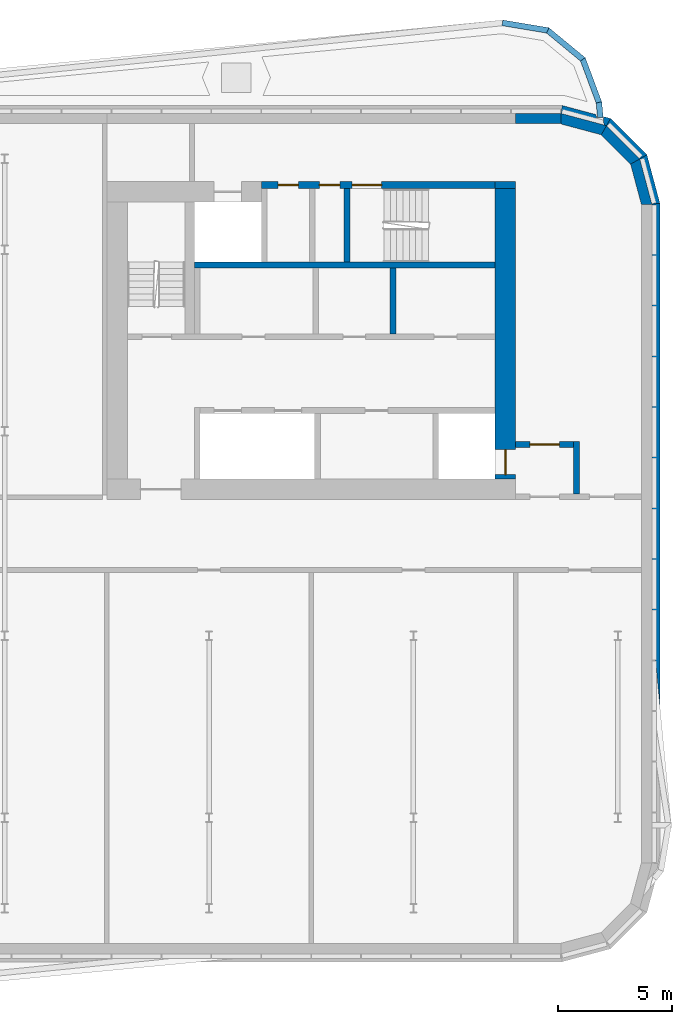
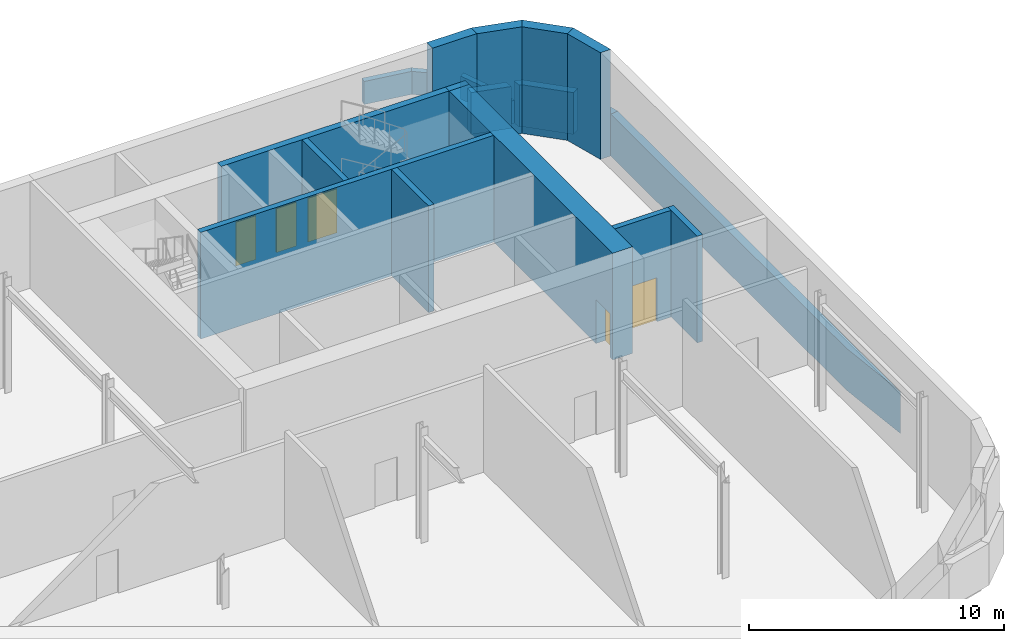
# One storey, part 9 of 16: 21 walls, 5 doors, 5 openings.
"""IFC4 building model written with IfcOpenShell, lengths in metres."""

from ifc_helpers import new_model, si_unit, direction, frame, frame_2d, origin, place, context, subcontext, project, spatial, polyline, rectangle, outline, extrude, material, layer, layer_set, type_object, element, fill, save


model = new_model("IFC4")

# Units and contexts
model_context = context("Model", 3, precision=1e-05, world=origin(), true_north=direction((0.0, 1.0)))
body_context = subcontext(model_context, "Body", "Model", "MODEL_VIEW")
ifc_project = project(units=[si_unit("LENGTHUNIT", "METRE"), si_unit("AREAUNIT", "SQUARE_METRE"), si_unit("VOLUMEUNIT", "CUBIC_METRE"), si_unit("PLANEANGLEUNIT", "RADIAN"), si_unit("MASSUNIT", "GRAM", prefix="KILO")], contexts=[model_context])

# Site, building, storey
site_placement = place(None, origin())
site = spatial("IfcSite", under=ifc_project, at=site_placement, CompositionType="ELEMENT")
building_placement = place(site_placement, origin())
building = spatial("IfcBuilding", under=site, at=building_placement, Name="Kajstack Hotel Tower", CompositionType="ELEMENT")
storey_placement = place(building_placement, frame((0.0, 0.0, 308.10009765625)))
storey = spatial("IfcBuildingStorey", under=building, at=storey_placement, Name="L78", CompositionType="ELEMENT", Elevation=308.10009765625)

# Walls
ifc_material_1 = material(Name="Concrete C40/50", Category="concrete")
ifc_layer_1 = layer(ifc_material_1, 0.35009765625)
ifc_layer_set_1 = layer_set([ifc_layer_1], Name="CROWN-BAND")
wall_type_1 = type_object("IfcWallType", Name="CROWN-BAND", PredefinedType="SOLIDWALL", material=ifc_layer_set_1)
wall_1_placement = place(storey_placement, origin())
element("IfcWall", 1, at=wall_1_placement, inside=storey, type_object=wall_type_1, Name="Crown band 11", PredefinedType="SOLIDWALL", context=body_context, shape_type="SweptSolid", body=[
    extrude(outline(polyline([(37.5, -3.943359375), (37.85009765625, -7.578125), (37.85009765625, 14.546142578125), (37.5, 14.5), (37.5, -3.943359375)])), origin(), (0.0, 0.0, 1.0), 2.0),
])
wall_2_placement = place(storey_placement, origin())
element("IfcWall", 2, at=wall_2_placement, inside=storey, type_object=wall_type_1, Name="Crown band 12", PredefinedType="SOLIDWALL", context=body_context, shape_type="SweptSolid", body=[
    extrude(outline(polyline([(37.5, 14.5), (37.85009765625, 14.546142578125), (37.27783203125, 16.68115234375), (36.964111328125, 16.5), (37.5, 14.5)])), origin(), (0.0, 0.0, 1.0), 2.0),
])
wall_3_placement = place(storey_placement, origin())
element("IfcWall", 3, at=wall_3_placement, inside=storey, type_object=wall_type_1, Name="Crown band 13", PredefinedType="SOLIDWALL", context=body_context, shape_type="SweptSolid", body=[
    extrude(outline(polyline([(36.964111328125, 16.5), (37.27783203125, 16.68115234375), (35.68115234375, 18.27783203125), (35.5, 17.964111328125), (36.964111328125, 16.5)])), origin(), (0.0, 0.0, 1.0), 2.0),
])
wall_4_placement = place(storey_placement, origin())
element("IfcWall", 4, at=wall_4_placement, inside=storey, type_object=wall_type_1, Name="Crown band 14", PredefinedType="SOLIDWALL", context=body_context, shape_type="SweptSolid", body=[
    extrude(outline(polyline([(35.5, 17.964111328125), (35.68115234375, 18.27783203125), (35.362060546875, 18.36328125), (35.365966796875, 18.323974609375), (35.35595703125, 18.322998046875), (35.3876953125, 17.994140625), (35.5, 17.964111328125)])), origin(), (0.0, 0.0, 1.0), 2.0),
])
wall_5_placement = place(storey_placement, origin())
element("IfcWall", 5, at=wall_5_placement, inside=storey, type_object=wall_type_1, Name="Crown band 15", PredefinedType="SOLIDWALL", context=body_context, shape_type="SweptSolid", body=[
    extrude(outline(polyline([(35.078369140625, 18.0771484375), (35.04248046875, 18.448974609375), (33.546142578125, 18.85009765625), (33.5, 18.5), (35.078369140625, 18.0771484375)])), origin(), (0.0, 0.0, 1.0), 2.0),
])
ifc_material_2 = material(Name="Concrete C60/75", Category="concrete")
ifc_layer_2 = layer(ifc_material_2, 0.89990234375)
ifc_layer_set_2 = layer_set([ifc_layer_2], Name="Core wall 900")
wall_type_2 = type_object("IfcWallType", Name="Core wall 900", PredefinedType="SHEAR", material=ifc_layer_set_2)
wall_6_placement = place(storey_placement, frame((30.60009765625, 15.35009765625, 0.0), z_axis=(0.0, 0.0, 1.0), x_axis=(1.0, 0.0, 0.0)))
element("IfcWall", 6, at=wall_6_placement, inside=storey, type_object=wall_type_2, Name="Core wall E RSW", PredefinedType="SHEAR", context=body_context, shape_type="SweptSolid", body=[
    extrude(rectangle(XDim=0.89990234375, YDim=0.300048828125, at=frame_2d((0.449951171875, 0.0))), origin(), (0.0, 0.0, 1.0), 5.099853515625),
])

# Wall, opening, door
wall_7_placement = place(storey_placement, frame((31.050048828125, 2.39990234375, 0.0), z_axis=(0.0, 0.0, 1.0), x_axis=(0.0, 1.0, 0.0)))
wall_7 = element("IfcWall", 7, at=wall_7_placement, inside=storey, type_object=wall_type_2, Name="Core wall E RW", PredefinedType="SHEAR", context=body_context, shape_type="SweptSolid", body=[
    extrude(rectangle(XDim=12.800048828125, YDim=0.89990234375, at=frame_2d((6.39990234375, 0.0))), origin(), (0.0, 0.0, 1.0), 5.099853515625),
])
opening_1_placement = place(wall_7_placement, frame((0.199951171875, 0.0, 0.0)))
opening_1 = element("IfcOpeningElement", 8, at=opening_1_placement, cuts=wall_7, Name="Opening LD-FF2", PredefinedType="OPENING", context=body_context, shape_type="SweptSolid", body=[
    extrude(rectangle(XDim=1.10009765625, YDim=2.10009765625, at=frame_2d((0.550048828125, 1.050048828125))), frame((0.0, 0.4599609375, 0.0), z_axis=(0.0, -1.0, 0.0), x_axis=(1.0, 0.0, 0.0)), (0.0, 0.0, 1.0), 0.919921875),
])
ifc_material_3 = material(Name="Stainless steel", Category="steel")
door_type_1 = type_object("IfcDoorType", Name="Fire-fighting lift landing door 1100", OperationType="SLIDING_TO_LEFT", PredefinedType="DOOR", material=ifc_material_3)
door_1_placement = place(opening_1_placement, origin())
door_1 = element("IfcDoor", 9, at=door_1_placement, inside=storey, type_object=door_type_1, Name="Landing door FF2", OperationType="SLIDING_TO_LEFT", OverallHeight=2.10009765625, OverallWidth=1.10009765625, PredefinedType="DOOR", context=body_context, shape_type="SweptSolid", body=[
    extrude(rectangle(XDim=1.10009765625, YDim=2.10009765625, at=frame_2d((0.550048828125, 1.050048828125))), frame((0.0, 0.02490234375, 0.0), z_axis=(0.0, -1.0, 0.0), x_axis=(1.0, 0.0, 0.0)), (0.0, 0.0, 1.0), 0.050048828125),
])
fill(opening_1, door_1)

# Walls
ifc_material_4 = material(Name="Zinc-clad block masonry", Category="masonry")
ifc_layer_3 = layer(ifc_material_4, 0.449951171875)
ifc_layer_set_3 = layer_set([ifc_layer_3], Name="EW-ZINC")
wall_type_3 = type_object("IfcWallType", Name="EW-ZINC", PredefinedType="SOLIDWALL", material=ifc_layer_set_3)
wall_8_placement = place(storey_placement, frame((37.28271484375, 14.441650390625, 0.0), z_axis=(0.0, 0.0, 1.0), x_axis=(-0.25881466832, 0.965926999034, 0.0)))
element("IfcWall", 10, at=wall_8_placement, inside=storey, type_object=wall_type_3, Name="E-wall-L78-08-00", PredefinedType="SOLIDWALL", context=body_context, shape_type="SweptSolid", body=[
    extrude(outline(polyline([(0.000244140625, -0.22509765625), (2.070556640625, -0.224853515625), (1.9501953125, 0.22509765625), (0.12060546875, 0.22509765625), (0.000244140625, -0.22509765625)])), origin(), (0.0, 0.0, 1.0), 5.099853515625),
])
wall_9_placement = place(storey_placement, frame((36.804931640625, 16.3408203125, 0.0), z_axis=(0.0, 0.0, 1.0), x_axis=(-0.707106781187, 0.707106781187, 0.0)))
element("IfcWall", 11, at=wall_9_placement, inside=storey, type_object=wall_type_3, Name="E-wall-L78-09-00", PredefinedType="SOLIDWALL", context=body_context, shape_type="SweptSolid", body=[
    extrude(outline(polyline([(0.0, -0.22509765625), (2.070556640625, -0.22509765625), (1.949951171875, 0.224853515625), (0.12060546875, 0.224853515625), (0.0, -0.22509765625)])), origin(), (0.0, 0.0, 1.0), 5.099853515625),
])
wall_10_placement = place(storey_placement, frame((35.441650390625, 17.746826171875, 0.0), z_axis=(0.0, 0.0, 1.0), x_axis=(-0.965926999034, 0.25881466832, 0.0)))
element("IfcWall", 12, at=wall_10_placement, inside=storey, type_object=wall_type_3, Name="E-wall-L78-10-00", PredefinedType="SOLIDWALL", context=body_context, shape_type="SweptSolid", body=[
    extrude(outline(polyline([(-0.000244140625, -0.224853515625), (2.0703125, -0.22509765625), (1.949951171875, 0.22509765625), (0.120361328125, 0.22509765625), (-0.000244140625, -0.224853515625)])), origin(), (0.0, 0.0, 1.0), 5.099853515625),
])
wall_11_placement = place(storey_placement, frame((33.5, 18.27490234375, 0.0), z_axis=(0.0, 0.0, 1.0), x_axis=(-1.0, 0.0, 0.0)))
element("IfcWall", 13, at=wall_11_placement, inside=storey, type_object=wall_type_3, Name="E-wall-L78-11-00", PredefinedType="SOLIDWALL", context=body_context, shape_type="SweptSolid", body=[
    extrude(rectangle(XDim=2.0, YDim=0.449951171875, at=frame_2d((1.0, 0.0))), origin(), (0.0, 0.0, 1.0), 5.099853515625),
])
ifc_layer_4 = layer(ifc_material_4, 0.25)
ifc_layer_set_4 = layer_set([ifc_layer_4], Name="PARAPET-ZINC")
wall_type_4 = type_object("IfcWallType", Name="PARAPET-ZINC", PredefinedType="PARAPET", material=ifc_layer_set_4)
wall_12_placement = place(storey_placement, origin())
element("IfcWall", 14, at=wall_12_placement, inside=storey, type_object=wall_type_4, Name="Parapet L78-02-02-01", PredefinedType="PARAPET", context=body_context, shape_type="SweptSolid", body=[
    extrude(outline(polyline([(30.9404296875, 22.61181640625), (30.899169921875, 22.365234375), (32.859130859375, 22.037353515625), (32.96630859375, 22.27294921875), (30.9404296875, 22.61181640625)])), origin(), (0.0, 0.0, 1.0), 1.099853515625),
])
wall_13_placement = place(storey_placement, origin())
element("IfcWall", 15, at=wall_13_placement, inside=storey, type_object=wall_type_4, Name="Parapet L78-02-02-02", PredefinedType="PARAPET", context=body_context, shape_type="SweptSolid", body=[
    extrude(outline(polyline([(32.96630859375, 22.27294921875), (32.859130859375, 22.037353515625), (34.353271484375, 20.8056640625), (34.56396484375, 20.955810546875), (32.96630859375, 22.27294921875)])), origin(), (0.0, 0.0, 1.0), 1.099853515625),
])
wall_14_placement = place(storey_placement, origin())
element("IfcWall", 16, at=wall_14_placement, inside=storey, type_object=wall_type_4, Name="Parapet L78-02-02-03", PredefinedType="PARAPET", context=body_context, shape_type="SweptSolid", body=[
    extrude(outline(polyline([(34.56396484375, 20.955810546875), (34.353271484375, 20.8056640625), (35.04345703125, 18.959716796875), (35.289306640625, 19.016357421875), (34.56396484375, 20.955810546875)])), origin(), (0.0, 0.0, 1.0), 1.099853515625),
])
wall_15_placement = place(storey_placement, origin())
element("IfcWall", 17, at=wall_15_placement, inside=storey, type_object=wall_type_4, Name="Parapet L78-02-02-04", PredefinedType="PARAPET", context=body_context, shape_type="SweptSolid", body=[
    extrude(outline(polyline([(35.289306640625, 19.016357421875), (35.04345703125, 18.959716796875), (35.106201171875, 18.30908203125), (35.35498046875, 18.3330078125), (35.289306640625, 19.016357421875)])), origin(), (0.0, 0.0, 1.0), 1.099853515625),
])
ifc_material_5 = material(Name="Concrete block masonry", Category="masonry")
ifc_layer_5 = layer(ifc_material_5, 0.25)
ifc_layer_set_5 = layer_set([ifc_layer_5], Name="Riser partition 250")
wall_type_5 = type_object("IfcWallType", Name="Riser partition 250", PredefinedType="PARTITIONING", material=ifc_layer_set_5)
wall_16_placement = place(storey_placement, frame((26.10009765625, 8.800048828125, 0.0), z_axis=(0.0, 0.0, 1.0), x_axis=(0.0, 1.0, 0.0)))
element("IfcWall", 18, at=wall_16_placement, inside=storey, type_object=wall_type_5, Name="Partition E BF0", PredefinedType="PARTITIONING", context=body_context, shape_type="SweptSolid", body=[
    extrude(rectangle(XDim=2.89990234375, YDim=0.25, at=frame_2d((1.449951171875, 0.0))), origin(), (0.0, 0.0, 1.0), 5.099853515625),
])

# Wall, openings, doors
ifc_material_6 = material(Name="Concrete C50/60", Category="concrete")
ifc_layer_6 = layer(ifc_material_6, 0.25)
ifc_layer_set_6 = layer_set([ifc_layer_6], Name="Shaft wall 250")
wall_type_6 = type_object("IfcWallType", Name="Shaft wall 250", PredefinedType="SHEAR", material=ifc_layer_set_6)
wall_17_placement = place(storey_placement, frame((20.300048828125, 15.35009765625, 0.0), z_axis=(0.0, 0.0, 1.0), x_axis=(1.0, 0.0, 0.0)))
wall_17 = element("IfcWall", 19, at=wall_17_placement, inside=storey, type_object=wall_type_6, Name="Core wall E RSS", PredefinedType="SHEAR", context=body_context, shape_type="SweptSolid", body=[
    extrude(rectangle(XDim=10.300048828125, YDim=0.300048828125, at=frame_2d((5.14990234375, 0.0))), origin(), (0.0, 0.0, 1.0), 5.099853515625),
])
opening_2_placement = place(wall_17_placement, frame((4.0, 0.0, 0.0)))
opening_2 = element("IfcOpeningElement", 20, at=opening_2_placement, cuts=wall_17, Name="Opening 78E10", PredefinedType="OPENING", context=body_context, shape_type="SweptSolid", body=[
    extrude(rectangle(XDim=1.300048828125, YDim=2.10009765625, at=frame_2d((0.64990234375, 1.050048828125))), frame((0.0, 0.159912109375, 0.0), z_axis=(0.0, -1.0, 0.0), x_axis=(1.0, 0.0, 0.0)), (0.0, 0.0, 1.0), 0.320068359375),
])
opening_3_placement = place(wall_17_placement, frame((2.5625, 0.0, 0.0)))
opening_3 = element("IfcOpeningElement", 21, at=opening_3_placement, cuts=wall_17, Name="Opening 78E11", PredefinedType="OPENING", context=body_context, shape_type="SweptSolid", body=[
    extrude(rectangle(XDim=0.89990234375, YDim=2.10009765625, at=frame_2d((0.449951171875, 1.050048828125))), frame((0.0, 0.159912109375, 0.0), z_axis=(0.0, -1.0, 0.0), x_axis=(1.0, 0.0, 0.0)), (0.0, 0.0, 1.0), 0.320068359375),
])
opening_4_placement = place(wall_17_placement, frame((0.737548828125, 0.0, 0.0)))
opening_4 = element("IfcOpeningElement", 22, at=opening_4_placement, cuts=wall_17, Name="Opening 78E12", PredefinedType="OPENING", context=body_context, shape_type="SweptSolid", body=[
    extrude(rectangle(XDim=0.89990234375, YDim=2.10009765625, at=frame_2d((0.449951171875, 1.050048828125))), frame((0.0, 0.159912109375, 0.0), z_axis=(0.0, -1.0, 0.0), x_axis=(1.0, 0.0, 0.0)), (0.0, 0.0, 1.0), 0.320068359375),
])
ifc_material_7 = material(Name="Steel leaf, fire-rated", Category="steel")
door_type_2 = type_object("IfcDoorType", Name="Riser door 900", OperationType="SINGLE_SWING_LEFT", PredefinedType="DOOR", material=ifc_material_7)
door_2_placement = place(opening_4_placement, origin())
door_2 = element("IfcDoor", 23, at=door_2_placement, inside=storey, type_object=door_type_2, Name="Door 78E12", OperationType="SINGLE_SWING_RIGHT", OverallHeight=2.10009765625, OverallWidth=0.89990234375, PredefinedType="DOOR", context=body_context, shape_type="SweptSolid", body=[
    extrude(rectangle(XDim=0.89990234375, YDim=2.10009765625, at=frame_2d((0.449951171875, 1.050048828125))), frame((0.0, 0.02490234375, 0.0), z_axis=(0.0, -1.0, 0.0), x_axis=(1.0, 0.0, 0.0)), (0.0, 0.0, 1.0), 0.050048828125),
])
fill(opening_4, door_2)
ifc_material_8 = material(Name="Timber leaf, fire-rated", Category="wood")
door_type_3 = type_object("IfcDoorType", Name="Service door 900", OperationType="SINGLE_SWING_LEFT", PredefinedType="DOOR", material=ifc_material_8)
door_3_placement = place(opening_3_placement, origin())
door_3 = element("IfcDoor", 24, at=door_3_placement, inside=storey, type_object=door_type_3, Name="Door 78E11", OperationType="SINGLE_SWING_RIGHT", OverallHeight=2.10009765625, OverallWidth=0.89990234375, PredefinedType="DOOR", context=body_context, shape_type="SweptSolid", body=[
    extrude(rectangle(XDim=0.89990234375, YDim=2.10009765625, at=frame_2d((0.449951171875, 1.050048828125))), frame((0.0, 0.02490234375, 0.0), z_axis=(0.0, -1.0, 0.0), x_axis=(1.0, 0.0, 0.0)), (0.0, 0.0, 1.0), 0.050048828125),
])
fill(opening_3, door_3)
door_type_4 = type_object("IfcDoorType", Name="Stair door 1300", OperationType="SINGLE_SWING_LEFT", PredefinedType="DOOR", material=ifc_material_7)
door_4_placement = place(opening_2_placement, origin())
door_4 = element("IfcDoor", 25, at=door_4_placement, inside=storey, type_object=door_type_4, Name="Door 78E10", OperationType="SINGLE_SWING_LEFT", OverallHeight=2.10009765625, OverallWidth=1.300048828125, PredefinedType="DOOR", context=body_context, shape_type="SweptSolid", body=[
    extrude(rectangle(XDim=1.300048828125, YDim=2.10009765625, at=frame_2d((0.64990234375, 1.050048828125))), frame((0.0, 0.02490234375, 0.0), z_axis=(0.0, -1.0, 0.0), x_axis=(1.0, 0.0, 0.0)), (0.0, 0.0, 1.0), 0.050048828125),
])
fill(opening_2, door_4)

# Wall
wall_18_placement = place(storey_placement, frame((17.35009765625, 11.824951171875, 0.0), z_axis=(0.0, 0.0, 1.0), x_axis=(1.0, 0.0, 0.0)))
element("IfcWall", 26, at=wall_18_placement, inside=storey, type_object=wall_type_6, Name="Core wall E RB", PredefinedType="SHEAR", context=body_context, shape_type="SweptSolid", body=[
    extrude(rectangle(XDim=13.25, YDim=0.25, at=frame_2d((6.625, 0.0))), origin(), (0.0, 0.0, 1.0), 5.099853515625),
])

# Wall, opening, door
ifc_layer_7 = layer(ifc_material_1, 0.25)
ifc_layer_set_7 = layer_set([ifc_layer_7], Name="Stair enclosure wall 250")
wall_type_7 = type_object("IfcWallType", Name="Stair enclosure wall 250", PredefinedType="SHEAR", material=ifc_layer_set_7)
wall_19_placement = place(storey_placement, frame((31.5, 3.925048828125, 0.0), z_axis=(0.0, 0.0, 1.0), x_axis=(1.0, 0.0, 0.0)))
wall_19 = element("IfcWall", 27, at=wall_19_placement, inside=storey, type_object=wall_type_7, Name="Core wall E W1N", PredefinedType="SHEAR", context=body_context, shape_type="SweptSolid", body=[
    extrude(rectangle(XDim=2.550048828125, YDim=0.25, at=frame_2d((1.27490234375, 0.0))), origin(), (0.0, 0.0, 1.0), 5.099853515625),
])
opening_5_placement = place(wall_19_placement, frame((0.625, 0.0, 0.0)))
opening_5 = element("IfcOpeningElement", 28, at=opening_5_placement, cuts=wall_19, Name="Opening 78E07", PredefinedType="OPENING", context=body_context, shape_type="SweptSolid", body=[
    extrude(rectangle(XDim=1.300048828125, YDim=2.10009765625, at=frame_2d((0.64990234375, 1.050048828125))), frame((0.0, 0.135009765625, 0.0), z_axis=(0.0, -1.0, 0.0), x_axis=(1.0, 0.0, 0.0)), (0.0, 0.0, 1.0), 0.27001953125),
])
door_type_5 = type_object("IfcDoorType", Name="Fire lobby door 1300", OperationType="SINGLE_SWING_LEFT", PredefinedType="DOOR", material=ifc_material_7)
door_5_placement = place(opening_5_placement, origin())
door_5 = element("IfcDoor", 29, at=door_5_placement, inside=storey, type_object=door_type_5, Name="Door 78E07", OperationType="SINGLE_SWING_LEFT", OverallHeight=2.10009765625, OverallWidth=1.300048828125, PredefinedType="DOOR", context=body_context, shape_type="SweptSolid", body=[
    extrude(rectangle(XDim=1.300048828125, YDim=2.10009765625, at=frame_2d((0.64990234375, 1.050048828125))), frame((0.0, 0.02490234375, 0.0), z_axis=(0.0, -1.0, 0.0), x_axis=(1.0, 0.0, 0.0)), (0.0, 0.0, 1.0), 0.050048828125),
])
fill(opening_5, door_5)

# Walls
wall_20_placement = place(storey_placement, frame((34.175048828125, 1.75, 0.0), z_axis=(0.0, 0.0, 1.0), x_axis=(0.0, 1.0, 0.0)))
element("IfcWall", 30, at=wall_20_placement, inside=storey, type_object=wall_type_7, Name="Core wall E W1W", PredefinedType="SHEAR", context=body_context, shape_type="SweptSolid", body=[
    extrude(rectangle(XDim=2.300048828125, YDim=0.25, at=frame_2d((1.14990234375, 0.0))), origin(), (0.0, 0.0, 1.0), 5.099853515625),
])
ifc_layer_8 = layer(ifc_material_6, 0.35009765625)
ifc_layer_set_8 = layer_set([ifc_layer_8], Name="Stair enclosure wall 350")
wall_type_8 = type_object("IfcWallType", Name="Stair enclosure wall 350", PredefinedType="SHEAR", material=ifc_layer_set_8)
wall_21_placement = place(storey_placement, frame((24.074951171875, 11.949951171875, 0.0), z_axis=(0.0, 0.0, 1.0), x_axis=(0.0, 1.0, 0.0)))
element("IfcWall", 31, at=wall_21_placement, inside=storey, type_object=wall_type_8, Name="Core wall E W3E", PredefinedType="SHEAR", context=body_context, shape_type="SweptSolid", body=[
    extrude(rectangle(XDim=3.25, YDim=0.25, at=frame_2d((1.625, 0.0))), origin(), (0.0, 0.0, 1.0), 5.099853515625),
])

save(model, "model.ifc")
